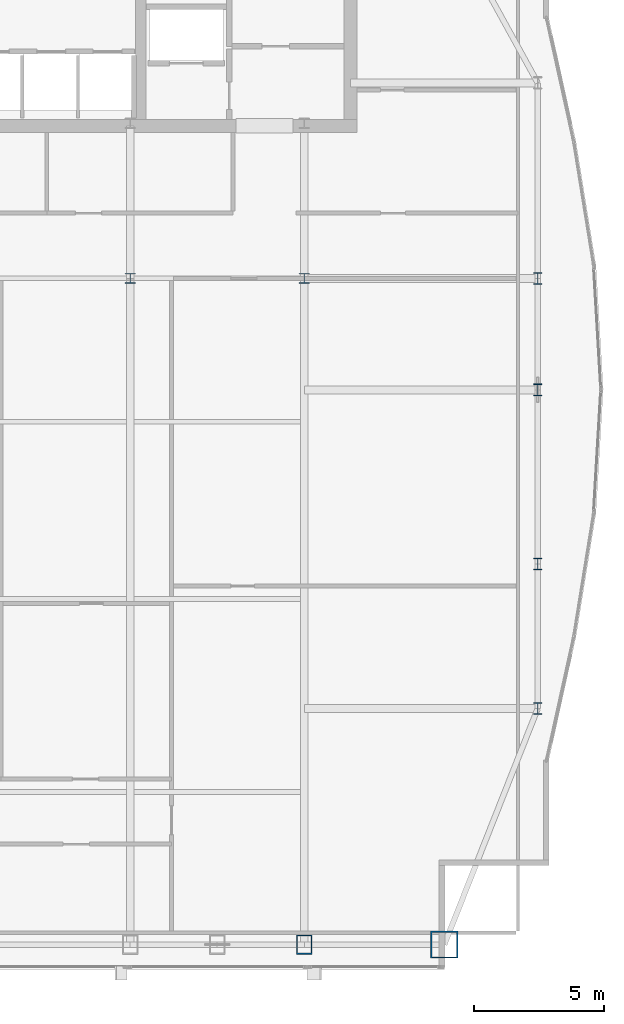
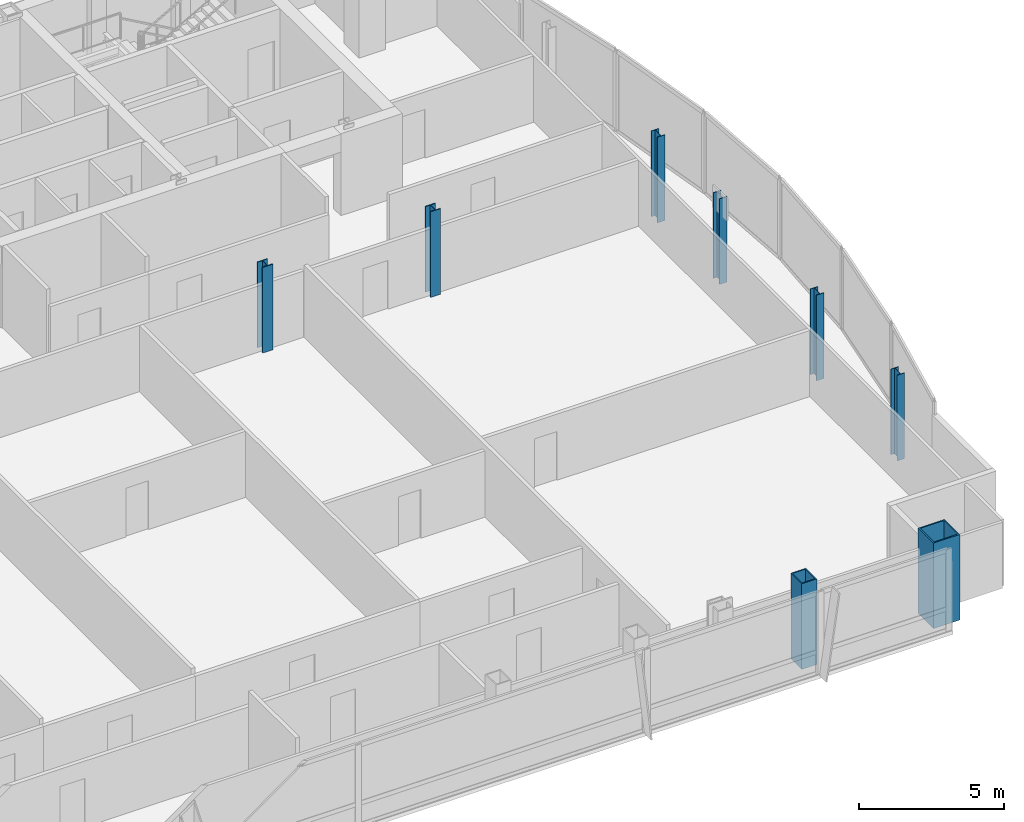
# One storey, part 2 of 30: 8 columns.
"""IFC4 building model written with IfcOpenShell, lengths in metres."""

from ifc_helpers import new_model, si_unit, direction, frame, origin, origin_2d, place, context, subcontext, project, spatial, hollow_rectangle, i_section, extrude, material, material_profile, profile_set, type_object, element, save


model = new_model("IFC4")

# Units and contexts
model_context = context("Model", 3, precision=1e-05, world=origin(), true_north=direction((0.0, 1.0)))
body_context = subcontext(model_context, "Body", "Model", "MODEL_VIEW")
ifc_project = project(units=[si_unit("LENGTHUNIT", "METRE"), si_unit("AREAUNIT", "SQUARE_METRE"), si_unit("VOLUMEUNIT", "CUBIC_METRE"), si_unit("PLANEANGLEUNIT", "RADIAN"), si_unit("MASSUNIT", "GRAM", prefix="KILO")], contexts=[model_context])

# Site, building, storey
site_placement = place(None, origin())
site = spatial("IfcSite", under=ifc_project, at=site_placement, CompositionType="ELEMENT")
building_placement = place(site_placement, origin())
building = spatial("IfcBuilding", under=site, at=building_placement, Name="Khoronbel Lancet Exchange", CompositionType="ELEMENT")
storey_placement = place(building_placement, frame((0.0, 0.0, 269.800048828125)))
storey = spatial("IfcBuildingStorey", under=building, at=storey_placement, Name="L69", CompositionType="ELEMENT", Elevation=269.800048828125)

# Columns
ifc_material_1 = material(Name="Steel S460", Category="steel")
ifc_material_profile_1 = material_profile(ifc_material_1, hollow_rectangle(XDim=0.60009765625, YDim=0.75, WallThickness=0.044921875, at=origin_2d()), Name="BOX 750x600x45")
ifc_profile_set_1 = profile_set([ifc_material_profile_1], Name="Steel S460")
column_type_1 = type_object("IfcColumnType", Name="COL-EC3", PredefinedType="COLUMN", material=ifc_profile_set_1)
column_1_placement = place(storey_placement, frame((54.675048828125, 10.14990234375, 0.0), z_axis=(0.0, 0.0, 1.0), x_axis=(1.0, 0.0, 0.0)))
element("IfcColumn", 1, at=column_1_placement, inside=storey, type_object=column_type_1, Name="Structural column SC-E2 L69", PredefinedType="COLUMN", context=body_context, shape_type="SweptSolid", body=[
    extrude(hollow_rectangle(XDim=0.60009765625, YDim=0.75, WallThickness=0.044921875, at=origin_2d()), origin(), (0.0, 0.0, 1.0), 3.599853515625),
])
ifc_material_2 = material(Name="Steel S355", Category="steel")
ifc_material_profile_2 = material_profile(ifc_material_2, i_section(OverallWidth=0.39892578125, OverallDepth=0.39306640625, WebThickness=0.022705078125, FlangeThickness=0.03662109375, at=origin_2d()), Name="HD 400x287")
ifc_profile_set_2 = profile_set([ifc_material_profile_2], Name="Steel S355")
column_type_2 = type_object("IfcColumnType", Name="COL-IC4", PredefinedType="COLUMN", material=ifc_profile_set_2)
for number, where, z_axis, x_axis, name in (
    (2, (48.0, 35.699951171875, 0.0), (0.0, 0.0, 1.0), (1.0, 0.0, 0.0), "Spine gravity column TC3 L69"),
    (3, (54.675048828125, 35.699951171875, 0.0), (0.0, 0.0, 1.0), (1.0, 0.0, 0.0), "Spine gravity column TC4 L69"),
):
    element("IfcColumn", number, at=place(storey_placement, frame(where, z_axis=z_axis, x_axis=x_axis)), inside=storey, type_object=column_type_2, Name=name, PredefinedType="COLUMN", context=body_context, shape_type="SweptSolid", body=[
        extrude(i_section(OverallWidth=0.39892578125, OverallDepth=0.39306640625, WebThickness=0.022705078125, FlangeThickness=0.03662109375, at=origin_2d()), origin(), (0.0, 0.0, 1.0), 3.599853515625),
    ])
ifc_material_profile_3 = material_profile(ifc_material_2, i_section(OverallWidth=0.300048828125, OverallDepth=0.449951171875, WebThickness=0.013916015625, FlangeThickness=0.02587890625, at=origin_2d()), Name="HEB 450")
ifc_profile_set_3 = profile_set([ifc_material_profile_3], Name="Steel S355")
column_type_3 = type_object("IfcColumnType", Name="COL-LC2", PredefinedType="COLUMN", material=ifc_profile_set_3)
for number, where, z_axis, x_axis, name in (
    (4, (63.6298828125, 19.199951171875, 0.0), (0.0, 0.0, 1.0), (1.0, 0.0, 0.0), "Structural column EC-1 L69"),
    (5, (63.6298828125, 24.75, 0.0), (0.0, 0.0, 1.0), (1.0, 0.0, 0.0), "Structural column EC-2 L69"),
    (6, (63.6298828125, 31.425048828125, 0.0), (0.0, 0.0, 1.0), (1.0, 0.0, 0.0), "Structural column EC-M L69"),
    (7, (63.6298828125, 35.699951171875, 0.0), (0.0, 0.0, 1.0), (1.0, 0.0, 0.0), "Structural column EC-3 L69"),
):
    element("IfcColumn", number, at=place(storey_placement, frame(where, z_axis=z_axis, x_axis=x_axis)), inside=storey, type_object=column_type_3, Name=name, PredefinedType="COLUMN", context=body_context, shape_type="SweptSolid", body=[
        extrude(i_section(OverallWidth=0.300048828125, OverallDepth=0.449951171875, WebThickness=0.013916015625, FlangeThickness=0.02587890625, at=origin_2d()), origin(), (0.0, 0.0, 1.0), 3.599853515625),
    ])
ifc_material_profile_4 = material_profile(ifc_material_1, hollow_rectangle(XDim=1.050048828125, YDim=1.050048828125, WallThickness=0.054931640625, at=origin_2d()), Name="BOX 1050x1050x55")
ifc_profile_set_4 = profile_set([ifc_material_profile_4], Name="Steel S460")
column_type_4 = type_object("IfcColumnType", Name="COL-MC6", PredefinedType="COLUMN", material=ifc_profile_set_4)
column_2_placement = place(storey_placement, frame((60.050048828125, 10.14990234375, 0.0), z_axis=(0.0, 0.0, 1.0), x_axis=(1.0, 0.0, 0.0)))
element("IfcColumn", 8, at=column_2_placement, inside=storey, type_object=column_type_4, Name="Structural column MC-SE L69", PredefinedType="COLUMN", context=body_context, shape_type="SweptSolid", body=[
    extrude(hollow_rectangle(XDim=1.050048828125, YDim=1.050048828125, WallThickness=0.054931640625, at=origin_2d()), origin(), (0.0, 0.0, 1.0), 3.599853515625),
])

save(model, "model.ifc")
